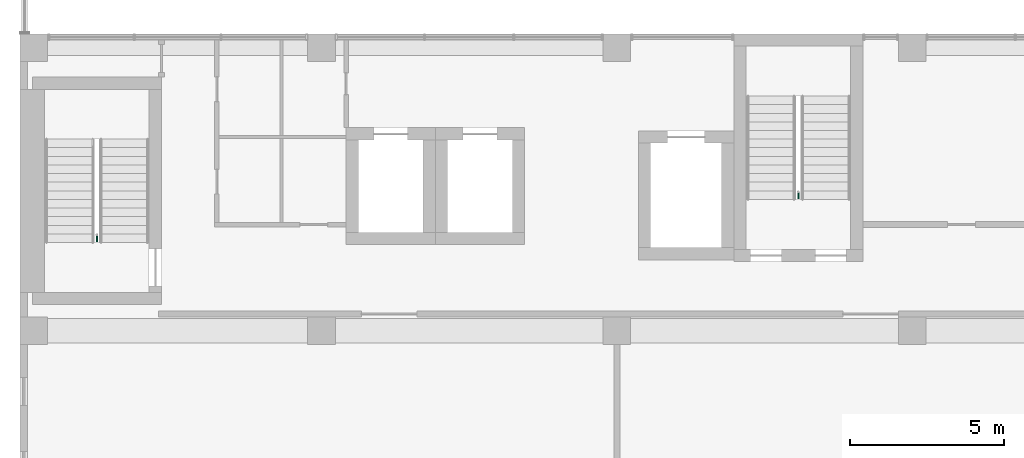
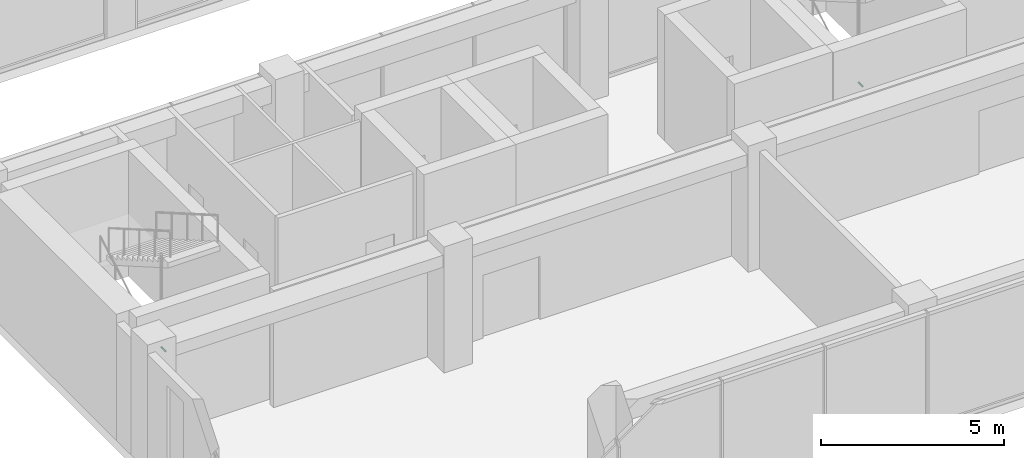
# One storey, part 36 of 37: 2 pipe fittings.
"""IFC4 building model written with IfcOpenShell, lengths in metres."""

import ifcopenshell
import ifcopenshell.guid

model = None  # the IFC model being written
_history = None  # IfcOwnerHistory: only IFC2X3 demands one
_inside = {}  # id of a spatial element -> (the spatial element, [elements in it])
_under = {}  # id of a project, library or spatial element -> (it, [spatial elements below it])
_declared = {}  # id of a project -> (the project, [libraries it declares])
_typed = {}  # id of a type object -> (the type object, [elements of that type])
_made_of = {}  # id of a material, layer set ... -> (it, [elements and type objects made of it])


def new_model(schema):
    """Start an empty IFC model of exactly this schema.

    Asked for "IFC4X3", IfcOpenShell would pick the latest addendum, in which some entities
    have other attributes; the version numbers below select the first issue.
    IFC2X3 requires an IfcOwnerHistory on every rooted entity: one is made here for all.
    """
    global model, _history
    if schema == "IFC4X3":
        model = ifcopenshell.file(schema_version=(4, 3, 0, 0))
    else:
        model = ifcopenshell.file(schema=schema)
    _inside.clear()
    _under.clear()
    _declared.clear()
    _typed.clear()
    _made_of.clear()
    _history = None
    if model.schema == "IFC2X3":
        org = make("IfcOrganization", Name="unknown")
        user = make(
            "IfcPersonAndOrganization",
            ThePerson=make("IfcPerson", FamilyName="unknown"),
            TheOrganization=org,
        )
        app = make(
            "IfcApplication",
            ApplicationDeveloper=org,
            Version="unknown",
            ApplicationFullName="unknown",
            ApplicationIdentifier="unknown",
        )
        _history = make(
            "IfcOwnerHistory",
            OwningUser=user,
            OwningApplication=app,
            ChangeAction="ADDED",
            CreationDate=0,
        )
    return model


def make(cls, **values):
    """One entity of the class cls with the attributes given. An attribute that is None is left unset."""
    return model.create_entity(
        cls, **{name: value for name, value in values.items() if value is not None}
    )


def rooted(cls, **values):
    """An entity with a GlobalId (a new one), such as an element, a storey or a relation."""
    return make(cls, GlobalId=ifcopenshell.guid.new(), OwnerHistory=_history, **values)


def si_unit(unit_type, name, prefix=None):
    """IfcSIUnit, for example si_unit("LENGTHUNIT", "METRE", prefix="MILLI")."""
    return make("IfcSIUnit", UnitType=unit_type, Prefix=prefix, Name=name)


def assignment(units):
    """IfcUnitAssignment: the units of a project."""
    return None if units is None else make("IfcUnitAssignment", Units=units)


def point(xyz):
    """IfcCartesianPoint."""
    return None if xyz is None else make("IfcCartesianPoint", Coordinates=xyz)


def direction(xyz):
    """IfcDirection."""
    return None if xyz is None else make("IfcDirection", DirectionRatios=xyz)


def frame(location, z_axis=None, x_axis=None):
    """IfcAxis2Placement3D, a coordinate frame: its origin and axes. An axis left out is left unset."""
    return make(
        "IfcAxis2Placement3D",
        Location=point(location),
        Axis=direction(z_axis),
        RefDirection=direction(x_axis),
    )


def frame_2d(location, x_axis=None):
    """IfcAxis2Placement2D, a coordinate frame in the plane: its origin and x axis."""
    return make(
        "IfcAxis2Placement2D", Location=point(location), RefDirection=direction(x_axis)
    )


def origin():
    """The frame at (0, 0, 0) with its axes left unset."""
    return frame((0.0, 0.0, 0.0))


def origin_2d():
    """The frame at (0, 0) in the plane with its x axis left unset."""
    return frame_2d((0.0, 0.0))


def place(relative_to, where):
    """IfcLocalPlacement: puts the frame where relative to a parent placement (None: the world)."""
    return make(
        "IfcLocalPlacement", PlacementRelTo=relative_to, RelativePlacement=where
    )


def context(
    kind, dimensions, precision=None, world=None, true_north=None, identifier=None
):
    """IfcGeometricRepresentationContext, for example the 3D "Model" context."""
    return make(
        "IfcGeometricRepresentationContext",
        ContextIdentifier=identifier,
        ContextType=kind,
        CoordinateSpaceDimension=dimensions,
        Precision=precision,
        WorldCoordinateSystem=world,
        TrueNorth=true_north,
    )


def subcontext(parent, identifier, kind, view, scale=None):
    """IfcGeometricRepresentationSubContext, for example "Body" below "Model"."""
    return make(
        "IfcGeometricRepresentationSubContext",
        ContextIdentifier=identifier,
        ContextType=kind,
        ParentContext=parent,
        TargetScale=scale,
        TargetView=view,
    )


def project(units=None, contexts=None):
    """IfcProject with its units and contexts."""
    return rooted(
        "IfcProject",
        Name="project",
        RepresentationContexts=contexts,
        UnitsInContext=assignment(units),
    )


def spatial(cls, under=None, at=None, **own):
    """A site, building, storey or space (cls), placed at a placement, below another one or the project."""
    s = rooted(cls, ObjectPlacement=at, **own)
    if under is not None:
        _under.setdefault(under.id(), (under, []))[1].append(s)
    return s


def profile(cls, at=None, kind="AREA", **sizes):
    """A parametric profile (cls). Its sizes go by their IFC names, for example OverallWidth=200.0."""
    return make(cls, ProfileType=kind, Position=at, **sizes)


def circle(**sizes):
    """IfcCircleProfileDef."""
    return profile("IfcCircleProfileDef", **sizes)


def extrude(swept, where, along, depth):
    """IfcExtrudedAreaSolid: the profile swept, set in the frame where, extruded along a direction by depth."""
    return make(
        "IfcExtrudedAreaSolid",
        SweptArea=swept,
        Position=where,
        ExtrudedDirection=direction(along),
        Depth=depth,
    )


def shape(context_of_items, identifier, shape_type, items):
    """IfcShapeRepresentation: the items that make up one representation, for example the "Body"."""
    return make(
        "IfcShapeRepresentation",
        ContextOfItems=context_of_items,
        RepresentationIdentifier=identifier,
        RepresentationType=shape_type,
        Items=items,
    )


def made_of(thing, what):
    """Note that an element or type object is made of a material, layer set ...; save() writes the relation."""
    if what is not None:
        _made_of.setdefault(what.id(), (what, []))[1].append(thing)
    return thing


def element(
    cls,
    number,
    at=None,
    inside=None,
    cuts=None,
    type_object=None,
    material=None,
    context=None,
    identifier="Body",
    shape_type=None,
    held_by="IfcProductDefinitionShape",
    body=None,
    shapes=None,
    **own,
):
    """One element of the class cls, such as IfcWall. Its Tag is "e" and its number.

    at: its placement. inside: the storey or other place that contains it. cuts: it is an
    opening in that element (IfcRelVoidsElement). A single representation is given by context,
    identifier, shape_type and body (its items); several are given by shapes. held_by: the class
    of the entity that holds the representations. save() writes the other relations.
    """
    e = rooted(cls, Tag="e%d" % number, ObjectPlacement=at, **own)
    if body is not None:
        shapes = [shape(context, identifier, shape_type, body)]
    if shapes is not None:
        e.Representation = make(held_by, Representations=shapes)
    if inside is not None:
        _inside.setdefault(inside.id(), (inside, []))[1].append(e)
    if cuts is not None:
        rooted(
            "IfcRelVoidsElement", RelatingBuildingElement=cuts, RelatedOpeningElement=e
        )
    if type_object is not None:
        _typed.setdefault(type_object.id(), (type_object, []))[1].append(e)
    return made_of(e, material)


def aggregate(whole, parts):
    """IfcRelAggregates: a whole, such as a stair, and the parts it consists of."""
    return rooted("IfcRelAggregates", RelatingObject=whole, RelatedObjects=parts)


def save(model, path):
    """Write the relations noted so far, then the file.

    IfcRelAggregates (storeys below a building ...), IfcRelContainedInSpatialStructure (elements
    in a storey), IfcRelDefinesByType, IfcRelAssociatesMaterial and IfcRelDeclares: one each for
    every whole, place, type object, material and project.
    """
    for whole, parts in _under.values():
        aggregate(whole, parts)
    for where, things in _inside.values():
        rooted(
            "IfcRelContainedInSpatialStructure",
            RelatedElements=things,
            RelatingStructure=where,
        )
    for kind, things in _typed.values():
        rooted("IfcRelDefinesByType", RelatedObjects=things, RelatingType=kind)
    for what, things in _made_of.values():
        rooted("IfcRelAssociatesMaterial", RelatedObjects=things, RelatingMaterial=what)
    for by, libraries in _declared.values():
        rooted("IfcRelDeclares", RelatingContext=by, RelatedDefinitions=libraries)
    model.write(path)


model = new_model("IFC4")

# Units and contexts
model_context = context("Model", 3, precision=1e-05, world=origin(), true_north=direction((0.0, 1.0)))
body_context = subcontext(model_context, "Body", "Model", "MODEL_VIEW")
ifc_project = project(units=[si_unit("LENGTHUNIT", "METRE"), si_unit("AREAUNIT", "SQUARE_METRE"), si_unit("VOLUMEUNIT", "CUBIC_METRE"), si_unit("PLANEANGLEUNIT", "RADIAN"), si_unit("MASSUNIT", "GRAM", prefix="KILO")], contexts=[model_context])

# Site, building, storey
site_placement = place(None, origin())
site = spatial("IfcSite", under=ifc_project, at=site_placement, CompositionType="ELEMENT")
building_placement = place(site_placement, origin())
building = spatial("IfcBuilding", under=site, at=building_placement, Name="Nzadi Deep Aquarium and Research Tower", CompositionType="ELEMENT")
storey_placement = place(building_placement, frame((0.0, 0.0, 57.10009765625)))
storey = spatial("IfcBuildingStorey", under=building, at=storey_placement, Name="L11", CompositionType="ELEMENT", Elevation=57.10009765625)

# Pipe fittings
for number, where, z_axis, x_axis, name in (
    (1, (2.300048828125, 12.320068359375, 1.099853515625), (0.0, -1.0, 0.0), (1.0, 0.0, 0.0), "Dry riser outlet ST-Z1-SW L11"),
    (2, (25.10009765625, 13.719970703125, 1.099853515625), (0.0, -1.0, 0.0), (1.0, 0.0, 0.0), "Dry riser outlet ST-Z1-SE L11"),
):
    element("IfcPipeFitting", number, at=place(storey_placement, frame(where, z_axis=z_axis, x_axis=x_axis)), inside=storey, Name=name, PredefinedType="EXIT", context=body_context, shape_type="SweptSolid", body=[
        extrude(circle(Radius=0.0224609375, at=origin_2d()), origin(), (0.0, 0.0, 1.0), 0.22998046875),
    ])

save(model, "model.ifc")
